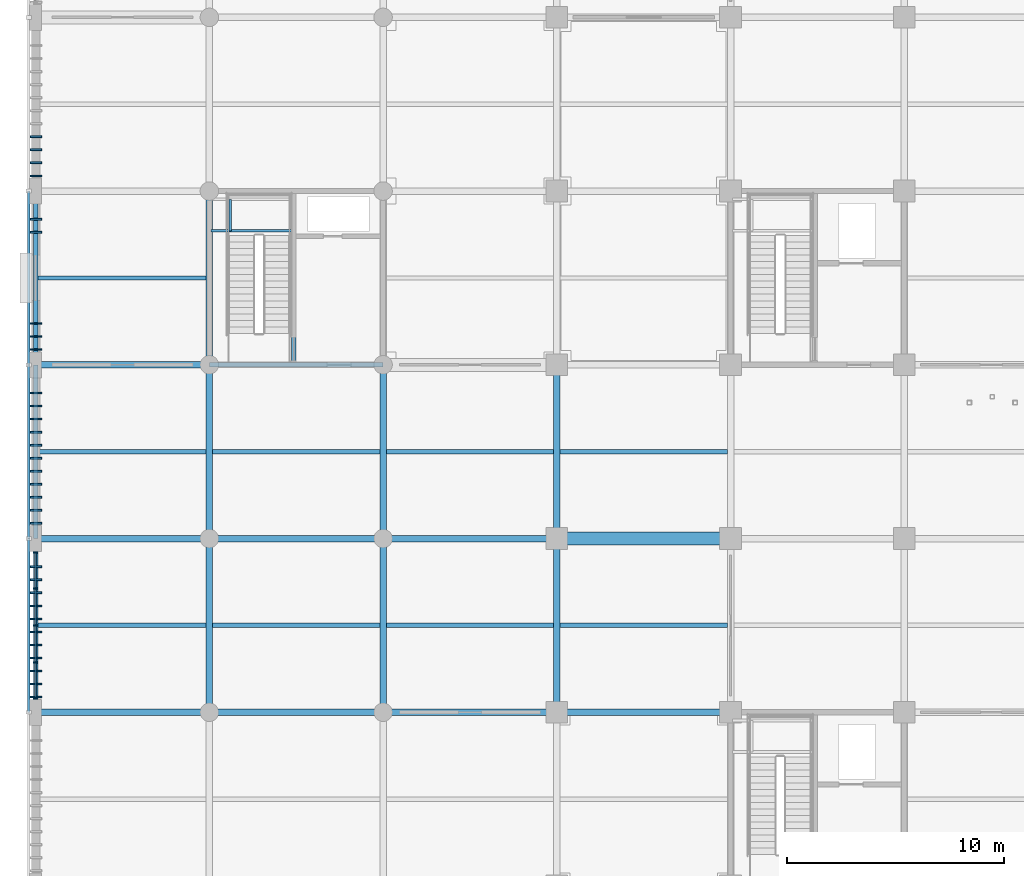
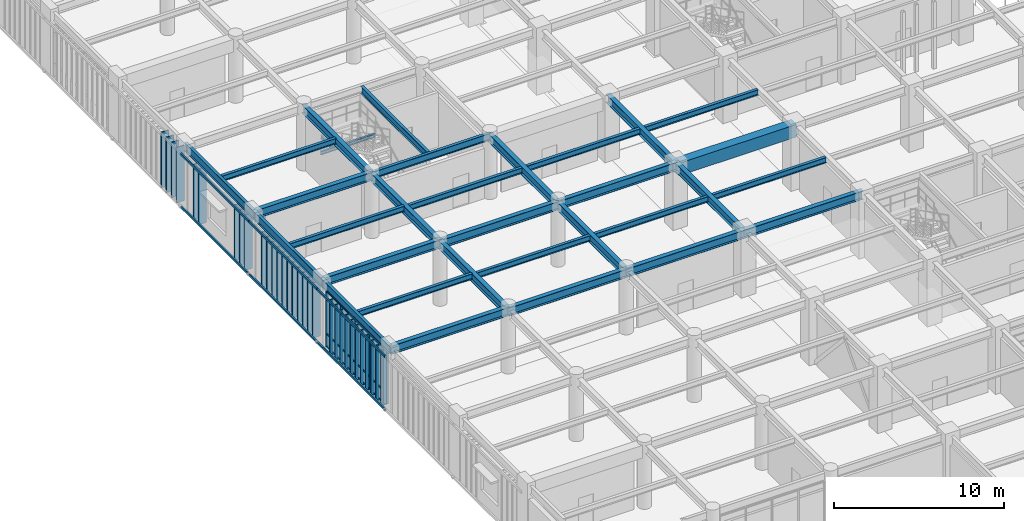
# One storey, part 19 of 117: 58 members, 32 beams, 1 element without a shape of its own.
"""IFC4 building model written with IfcOpenShell, lengths in metres."""

from ifc_helpers import new_model, si_unit, direction, frame, origin, origin_2d, place, context, subcontext, project, spatial, rectangle, hollow_rectangle, i_section, extrude, material, layer, layer_set, material_profile, profile_set, type_object, element, aggregate, save


model = new_model("IFC4")

# Units and contexts
model_context = context("Model", 3, precision=1e-05, world=origin(), true_north=direction((0.0, 1.0)))
body_context = subcontext(model_context, "Body", "Model", "MODEL_VIEW")
ifc_project = project(units=[si_unit("LENGTHUNIT", "METRE"), si_unit("AREAUNIT", "SQUARE_METRE"), si_unit("VOLUMEUNIT", "CUBIC_METRE"), si_unit("PLANEANGLEUNIT", "RADIAN"), si_unit("MASSUNIT", "GRAM", prefix="KILO")], contexts=[model_context])

# Site, building, storey
site_placement = place(None, origin())
site = spatial("IfcSite", under=ifc_project, at=site_placement, CompositionType="ELEMENT")
building_placement = place(site_placement, origin())
building = spatial("IfcBuilding", under=site, at=building_placement, Name="Haebicheon Civic Stadium", CompositionType="ELEMENT")
storey_placement = place(building_placement, frame((0.0, 0.0, 4.800048828125)))
storey = spatial("IfcBuildingStorey", under=building, at=storey_placement, Name="L02", CompositionType="ELEMENT", Elevation=4.800048828125)

# Beams
ifc_material_1 = material(Name="Concrete C40/50", Category="concrete")
ifc_material_profile_1 = material_profile(ifc_material_1, rectangle(XDim=0.60009765625, YDim=0.89990234375, at=origin_2d()), Name="RC-BM-600x900")
ifc_profile_set_1 = profile_set([ifc_material_profile_1], Name="Concrete C40/50")
beam_type_1 = type_object("IfcBeamType", Name="BM-RC-600x900", PredefinedType="BEAM", material=ifc_profile_set_1)
beam_1_placement = place(storey_placement, frame((24.0, 72.0, 4.070068359375), z_axis=(1.0, 0.0, 0.0), x_axis=(0.0, 1.0, 0.0)))
element("IfcBeam", 1, at=beam_1_placement, inside=storey, type_object=beam_type_1, material=ifc_profile_set_1, Name="L02 beam K/4-5", PredefinedType="BEAM", context=body_context, shape_type="SweptSolid", body=[
    extrude(rectangle(XDim=0.60009765625, YDim=0.89990234375, at=origin_2d()), origin(), (0.0, 0.0, 1.0), 8.0),
])
ifc_material_2 = material(Name="Steel SM355 (S355)", Category="steel")
ifc_material_profile_2 = material_profile(ifc_material_2, i_section(OverallWidth=0.199951171875, OverallDepth=0.5, WebThickness=0.010009765625, FlangeThickness=0.01611328125, at=origin_2d()), Name="H-500x200x10x16")
ifc_profile_set_2 = profile_set([ifc_material_profile_2], Name="Steel SM355 (S355)")
beam_type_2 = type_object("IfcBeamType", Name="BM-ST-H500", PredefinedType="BEAM", material=ifc_profile_set_2)
beam_2_placement = place(storey_placement, frame((8.0, 80.0, 4.27001953125), z_axis=(1.0, 0.0, 0.0), x_axis=(0.0, 1.0, 0.0)))
element("IfcBeam", 2, at=beam_2_placement, inside=storey, type_object=beam_type_2, material=ifc_profile_set_2, Name="L02 beam L/2-3", PredefinedType="BEAM", context=body_context, shape_type="SweptSolid", body=[
    extrude(i_section(OverallWidth=0.199951171875, OverallDepth=0.5, WebThickness=0.010009765625, FlangeThickness=0.01611328125, at=origin_2d()), origin(), (0.0, 0.0, 1.0), 8.0),
])
beam_3_placement = place(storey_placement, frame((11.8798828125, 80.10009765625, 4.27001953125), z_axis=(0.0, 1.0, 0.0), x_axis=(-1.0, 0.0, 0.0)))
element("IfcBeam", 3, at=beam_3_placement, inside=storey, type_object=beam_type_2, material=ifc_profile_set_2, Name="L02 KC-15 core dividing wall support beam", PredefinedType="BEAM", context=body_context, shape_type="SweptSolid", body=[
    extrude(i_section(OverallWidth=0.199951171875, OverallDepth=0.5, WebThickness=0.010009765625, FlangeThickness=0.01611328125, at=origin_2d()), origin(), (0.0, 0.0, 1.0), 7.7998046875),
])
ifc_material_3 = material(Name="Steel SM355 (S355)", Category="steel")
ifc_material_profile_3 = material_profile(ifc_material_3, i_section(OverallWidth=0.300048828125, OverallDepth=0.60009765625, WebThickness=0.011962890625, FlangeThickness=0.02001953125, at=origin_2d()), Name="H-600x300x12x20")
ifc_profile_set_3 = profile_set([ifc_material_profile_3], Name="Steel SM355 (S355)")
beam_type_3 = type_object("IfcBeamType", Name="BM-ST-H600A", PredefinedType="BEAM", material=ifc_profile_set_3)
for number, where, z_axis, x_axis, name in (
    (4, (8.0, 64.0, 4.219970703125), (0.0, 1.0, 0.0), (-1.0, 0.0, 0.0), "L02 girder 2/J-K"),
    (5, (8.0, 72.0, 4.219970703125), (0.0, 1.0, 0.0), (-1.0, 0.0, 0.0), "L02 girder 2/K-L"),
    (6, (8.0, 80.0, 4.219970703125), (0.0, 1.0, 0.0), (-1.0, 0.0, 0.0), "L02 girder 2/L-M"),
    (7, (16.0, 64.0, 4.219970703125), (0.0, 1.0, 0.0), (-1.0, 0.0, 0.0), "L02 girder 3/J-K"),
    (8, (16.0, 72.0, 4.219970703125), (0.0, 1.0, 0.0), (-1.0, 0.0, 0.0), "L02 girder 3/K-L"),
    (9, (24.0, 64.0, 4.219970703125), (0.0, 1.0, 0.0), (-1.0, 0.0, 0.0), "L02 girder 4/J-K"),
    (10, (24.0, 72.0, 4.219970703125), (0.0, 1.0, 0.0), (-1.0, 0.0, 0.0), "L02 girder 4/K-L"),
    (11, (0.0, 64.0, 4.280029296875), (1.0, 0.0, 0.0), (0.0, 1.0, 0.0), "L02 beam J/1-2"),
    (12, (0.0, 72.0, 4.280029296875), (1.0, 0.0, 0.0), (0.0, 1.0, 0.0), "L02 beam K/1-2"),
    (13, (0.0, 80.0, 4.280029296875), (1.0, 0.0, 0.0), (0.0, 1.0, 0.0), "L02 beam L/1-2"),
    (14, (8.0, 64.0, 4.219970703125), (1.0, 0.0, 0.0), (0.0, 1.0, 0.0), "L02 beam J/2-3"),
    (15, (8.0, 72.0, 4.219970703125), (1.0, 0.0, 0.0), (0.0, 1.0, 0.0), "L02 beam K/2-3"),
    (16, (16.0, 64.0, 4.219970703125), (1.0, 0.0, 0.0), (0.0, 1.0, 0.0), "L02 beam J/3-4"),
    (17, (16.0, 72.0, 4.219970703125), (1.0, 0.0, 0.0), (0.0, 1.0, 0.0), "L02 beam K/3-4"),
    (18, (24.0, 64.0, 4.219970703125), (1.0, 0.0, 0.0), (0.0, 1.0, 0.0), "L02 beam J/4-5"),
):
    element("IfcBeam", number, at=place(storey_placement, frame(where, z_axis=z_axis, x_axis=x_axis)), inside=storey, type_object=beam_type_3, material=ifc_profile_set_3, Name=name, PredefinedType="BEAM", context=body_context, shape_type="SweptSolid", body=[
        extrude(i_section(OverallWidth=0.300048828125, OverallDepth=0.60009765625, WebThickness=0.011962890625, FlangeThickness=0.02001953125, at=origin_2d()), origin(), (0.0, 0.0, 1.0), 8.0),
    ])

# Curtain wall, members
ifc_material_4 = material(Name="Anodised aluminium and laminated glass", Category="aluminium")
ifc_layer = layer(ifc_material_4, 0.179931640625, Name="Anodised aluminium and laminated glass")
ifc_layer_set = layer_set([ifc_layer], Name="Anodised aluminium and laminated glass")
curtain_wall_type = type_object("IfcCurtainWallType", Name="CW-6800x3950", PredefinedType="NOTDEFINED", material=ifc_layer_set)
curtain_wall_placement = place(storey_placement, origin())
curtain_wall = element("IfcCurtainWall", 19, at=curtain_wall_placement, inside=storey, type_object=curtain_wall_type, material=ifc_layer_set, Name="L02 unitised curtain wall 030", PredefinedType="NOTDEFINED")
ifc_material_5 = material(Name="Anodised aluminium 6063-T6", Category="aluminium")
ifc_material_profile_4 = material_profile(ifc_material_5, rectangle(XDim=0.070068359375, YDim=0.199951171875, at=origin_2d()), Name="ALU-MULL-70x200")
ifc_profile_set_4 = profile_set([ifc_material_profile_4], Name="Anodised aluminium 6063-T6")
member_type_1 = type_object("IfcMemberType", Name="CWM-200x70", PredefinedType="MULLION", material=ifc_profile_set_4)
member_1_placement = place(storey_placement, frame((0.0, 64.635009765625, 0.0), z_axis=(0.0, 0.0, 1.0), x_axis=(0.0, 1.0, 0.0)))
member_1 = element("IfcMember", 20, at=member_1_placement, type_object=member_type_1, material=ifc_profile_set_4, Name="CW-L02-030 vertical mullion 1", PredefinedType="MULLION", context=body_context, shape_type="SweptSolid", body=[
    extrude(rectangle(XDim=0.070068359375, YDim=0.199951171875, at=origin_2d()), origin(), (0.0, 0.0, 1.0), 3.949951171875),
])
member_2_placement = place(storey_placement, frame((0.0, 66.300048828125, 0.0), z_axis=(0.0, 0.0, 1.0), x_axis=(0.0, 1.0, 0.0)))
member_2 = element("IfcMember", 21, at=member_2_placement, type_object=member_type_1, material=ifc_profile_set_4, Name="CW-L02-030 vertical mullion 2", PredefinedType="MULLION", context=body_context, shape_type="SweptSolid", body=[
    extrude(rectangle(XDim=0.070068359375, YDim=0.199951171875, at=origin_2d()), origin(), (0.0, 0.0, 1.0), 3.949951171875),
])
member_3_placement = place(storey_placement, frame((0.0, 68.0, 0.0), z_axis=(0.0, 0.0, 1.0), x_axis=(0.0, 1.0, 0.0)))
member_3 = element("IfcMember", 22, at=member_3_placement, type_object=member_type_1, material=ifc_profile_set_4, Name="CW-L02-030 vertical mullion 3", PredefinedType="MULLION", context=body_context, shape_type="SweptSolid", body=[
    extrude(rectangle(XDim=0.070068359375, YDim=0.199951171875, at=origin_2d()), origin(), (0.0, 0.0, 1.0), 3.949951171875),
])
member_4_placement = place(storey_placement, frame((0.0, 69.699951171875, 0.0), z_axis=(0.0, 0.0, 1.0), x_axis=(0.0, 1.0, 0.0)))
member_4 = element("IfcMember", 23, at=member_4_placement, type_object=member_type_1, material=ifc_profile_set_4, Name="CW-L02-030 vertical mullion 4", PredefinedType="MULLION", context=body_context, shape_type="SweptSolid", body=[
    extrude(rectangle(XDim=0.070068359375, YDim=0.199951171875, at=origin_2d()), origin(), (0.0, 0.0, 1.0), 3.949951171875),
])
member_5_placement = place(storey_placement, frame((0.0, 71.364990234375, 0.0), z_axis=(0.0, 0.0, 1.0), x_axis=(0.0, 1.0, 0.0)))
member_5 = element("IfcMember", 24, at=member_5_placement, type_object=member_type_1, material=ifc_profile_set_4, Name="CW-L02-030 vertical mullion 5", PredefinedType="MULLION", context=body_context, shape_type="SweptSolid", body=[
    extrude(rectangle(XDim=0.070068359375, YDim=0.199951171875, at=origin_2d()), origin(), (0.0, 0.0, 1.0), 3.949951171875),
])
ifc_material_6 = material(Name="Anodised aluminium 6063-T6", Category="aluminium")
ifc_material_profile_5 = material_profile(ifc_material_6, rectangle(XDim=0.070068359375, YDim=0.14990234375, at=origin_2d()), Name="ALU-TRAN-70x150")
ifc_profile_set_5 = profile_set([ifc_material_profile_5], Name="Anodised aluminium 6063-T6")
member_type_2 = type_object("IfcMemberType", Name="CWT-150x70", PredefinedType="NOTDEFINED", material=ifc_profile_set_5)
member_6_placement = place(storey_placement, frame((0.0, 64.669921875, 0.0), z_axis=(0.0, 1.0, 0.0), x_axis=(-1.0, 0.0, 0.0)))
member_6 = element("IfcMember", 25, at=member_6_placement, type_object=member_type_2, material=ifc_profile_set_5, Name="CW-L02-030 horizontal transom 1.1", ObjectType="TRANSOM", PredefinedType="USERDEFINED", context=body_context, shape_type="SweptSolid", body=[
    extrude(rectangle(XDim=0.070068359375, YDim=0.14990234375, at=origin_2d()), origin(), (0.0, 0.0, 1.0), 1.594970703125),
])
member_7_placement = place(storey_placement, frame((0.0, 64.669921875, 0.89990234375), z_axis=(0.0, 1.0, 0.0), x_axis=(-1.0, 0.0, 0.0)))
member_7 = element("IfcMember", 26, at=member_7_placement, type_object=member_type_2, material=ifc_profile_set_5, Name="CW-L02-030 horizontal transom 1.2", ObjectType="TRANSOM", PredefinedType="USERDEFINED", context=body_context, shape_type="SweptSolid", body=[
    extrude(rectangle(XDim=0.070068359375, YDim=0.14990234375, at=origin_2d()), origin(), (0.0, 0.0, 1.0), 1.594970703125),
])
member_8_placement = place(storey_placement, frame((0.0, 64.669921875, 3.39990234375), z_axis=(0.0, 1.0, 0.0), x_axis=(-1.0, 0.0, 0.0)))
member_8 = element("IfcMember", 27, at=member_8_placement, type_object=member_type_2, material=ifc_profile_set_5, Name="CW-L02-030 horizontal transom 1.3", ObjectType="TRANSOM", PredefinedType="USERDEFINED", context=body_context, shape_type="SweptSolid", body=[
    extrude(rectangle(XDim=0.070068359375, YDim=0.14990234375, at=origin_2d()), origin(), (0.0, 0.0, 1.0), 1.594970703125),
])
member_9_placement = place(storey_placement, frame((0.0, 64.669921875, 3.949951171875), z_axis=(0.0, 1.0, 0.0), x_axis=(-1.0, 0.0, 0.0)))
member_9 = element("IfcMember", 28, at=member_9_placement, type_object=member_type_2, material=ifc_profile_set_5, Name="CW-L02-030 horizontal transom 1.4", ObjectType="TRANSOM", PredefinedType="USERDEFINED", context=body_context, shape_type="SweptSolid", body=[
    extrude(rectangle(XDim=0.070068359375, YDim=0.14990234375, at=origin_2d()), origin(), (0.0, 0.0, 1.0), 1.594970703125),
])
member_10_placement = place(storey_placement, frame((0.0, 66.3349609375, 0.0), z_axis=(0.0, 1.0, 0.0), x_axis=(-1.0, 0.0, 0.0)))
member_10 = element("IfcMember", 29, at=member_10_placement, type_object=member_type_2, material=ifc_profile_set_5, Name="CW-L02-030 horizontal transom 2.1", ObjectType="TRANSOM", PredefinedType="USERDEFINED", context=body_context, shape_type="SweptSolid", body=[
    extrude(rectangle(XDim=0.070068359375, YDim=0.14990234375, at=origin_2d()), origin(), (0.0, 0.0, 1.0), 1.630126953125),
])
member_11_placement = place(storey_placement, frame((0.0, 66.3349609375, 0.89990234375), z_axis=(0.0, 1.0, 0.0), x_axis=(-1.0, 0.0, 0.0)))
member_11 = element("IfcMember", 30, at=member_11_placement, type_object=member_type_2, material=ifc_profile_set_5, Name="CW-L02-030 horizontal transom 2.2", ObjectType="TRANSOM", PredefinedType="USERDEFINED", context=body_context, shape_type="SweptSolid", body=[
    extrude(rectangle(XDim=0.070068359375, YDim=0.14990234375, at=origin_2d()), origin(), (0.0, 0.0, 1.0), 1.630126953125),
])
member_12_placement = place(storey_placement, frame((0.0, 66.3349609375, 3.39990234375), z_axis=(0.0, 1.0, 0.0), x_axis=(-1.0, 0.0, 0.0)))
member_12 = element("IfcMember", 31, at=member_12_placement, type_object=member_type_2, material=ifc_profile_set_5, Name="CW-L02-030 horizontal transom 2.3", ObjectType="TRANSOM", PredefinedType="USERDEFINED", context=body_context, shape_type="SweptSolid", body=[
    extrude(rectangle(XDim=0.070068359375, YDim=0.14990234375, at=origin_2d()), origin(), (0.0, 0.0, 1.0), 1.630126953125),
])
member_13_placement = place(storey_placement, frame((0.0, 66.3349609375, 3.949951171875), z_axis=(0.0, 1.0, 0.0), x_axis=(-1.0, 0.0, 0.0)))
member_13 = element("IfcMember", 32, at=member_13_placement, type_object=member_type_2, material=ifc_profile_set_5, Name="CW-L02-030 horizontal transom 2.4", ObjectType="TRANSOM", PredefinedType="USERDEFINED", context=body_context, shape_type="SweptSolid", body=[
    extrude(rectangle(XDim=0.070068359375, YDim=0.14990234375, at=origin_2d()), origin(), (0.0, 0.0, 1.0), 1.630126953125),
])
member_14_placement = place(storey_placement, frame((0.0, 68.034912109375, 0.0), z_axis=(0.0, 1.0, 0.0), x_axis=(-1.0, 0.0, 0.0)))
member_14 = element("IfcMember", 33, at=member_14_placement, type_object=member_type_2, material=ifc_profile_set_5, Name="CW-L02-030 horizontal transom 3.1", ObjectType="TRANSOM", PredefinedType="USERDEFINED", context=body_context, shape_type="SweptSolid", body=[
    extrude(rectangle(XDim=0.070068359375, YDim=0.14990234375, at=origin_2d()), origin(), (0.0, 0.0, 1.0), 1.630126953125),
])
member_15_placement = place(storey_placement, frame((0.0, 68.034912109375, 0.89990234375), z_axis=(0.0, 1.0, 0.0), x_axis=(-1.0, 0.0, 0.0)))
member_15 = element("IfcMember", 34, at=member_15_placement, type_object=member_type_2, material=ifc_profile_set_5, Name="CW-L02-030 horizontal transom 3.2", ObjectType="TRANSOM", PredefinedType="USERDEFINED", context=body_context, shape_type="SweptSolid", body=[
    extrude(rectangle(XDim=0.070068359375, YDim=0.14990234375, at=origin_2d()), origin(), (0.0, 0.0, 1.0), 1.630126953125),
])
member_16_placement = place(storey_placement, frame((0.0, 68.034912109375, 3.39990234375), z_axis=(0.0, 1.0, 0.0), x_axis=(-1.0, 0.0, 0.0)))
member_16 = element("IfcMember", 35, at=member_16_placement, type_object=member_type_2, material=ifc_profile_set_5, Name="CW-L02-030 horizontal transom 3.3", ObjectType="TRANSOM", PredefinedType="USERDEFINED", context=body_context, shape_type="SweptSolid", body=[
    extrude(rectangle(XDim=0.070068359375, YDim=0.14990234375, at=origin_2d()), origin(), (0.0, 0.0, 1.0), 1.630126953125),
])
member_17_placement = place(storey_placement, frame((0.0, 68.034912109375, 3.949951171875), z_axis=(0.0, 1.0, 0.0), x_axis=(-1.0, 0.0, 0.0)))
member_17 = element("IfcMember", 36, at=member_17_placement, type_object=member_type_2, material=ifc_profile_set_5, Name="CW-L02-030 horizontal transom 3.4", ObjectType="TRANSOM", PredefinedType="USERDEFINED", context=body_context, shape_type="SweptSolid", body=[
    extrude(rectangle(XDim=0.070068359375, YDim=0.14990234375, at=origin_2d()), origin(), (0.0, 0.0, 1.0), 1.630126953125),
])
member_18_placement = place(storey_placement, frame((0.0, 69.735107421875, 0.0), z_axis=(0.0, 1.0, 0.0), x_axis=(-1.0, 0.0, 0.0)))
member_18 = element("IfcMember", 37, at=member_18_placement, type_object=member_type_2, material=ifc_profile_set_5, Name="CW-L02-030 horizontal transom 4.1", ObjectType="TRANSOM", PredefinedType="USERDEFINED", context=body_context, shape_type="SweptSolid", body=[
    extrude(rectangle(XDim=0.070068359375, YDim=0.14990234375, at=origin_2d()), origin(), (0.0, 0.0, 1.0), 1.594970703125),
])
member_19_placement = place(storey_placement, frame((0.0, 69.735107421875, 0.89990234375), z_axis=(0.0, 1.0, 0.0), x_axis=(-1.0, 0.0, 0.0)))
member_19 = element("IfcMember", 38, at=member_19_placement, type_object=member_type_2, material=ifc_profile_set_5, Name="CW-L02-030 horizontal transom 4.2", ObjectType="TRANSOM", PredefinedType="USERDEFINED", context=body_context, shape_type="SweptSolid", body=[
    extrude(rectangle(XDim=0.070068359375, YDim=0.14990234375, at=origin_2d()), origin(), (0.0, 0.0, 1.0), 1.594970703125),
])
member_20_placement = place(storey_placement, frame((0.0, 69.735107421875, 3.39990234375), z_axis=(0.0, 1.0, 0.0), x_axis=(-1.0, 0.0, 0.0)))
member_20 = element("IfcMember", 39, at=member_20_placement, type_object=member_type_2, material=ifc_profile_set_5, Name="CW-L02-030 horizontal transom 4.3", ObjectType="TRANSOM", PredefinedType="USERDEFINED", context=body_context, shape_type="SweptSolid", body=[
    extrude(rectangle(XDim=0.070068359375, YDim=0.14990234375, at=origin_2d()), origin(), (0.0, 0.0, 1.0), 1.594970703125),
])
member_21_placement = place(storey_placement, frame((0.0, 69.735107421875, 3.949951171875), z_axis=(0.0, 1.0, 0.0), x_axis=(-1.0, 0.0, 0.0)))
member_21 = element("IfcMember", 40, at=member_21_placement, type_object=member_type_2, material=ifc_profile_set_5, Name="CW-L02-030 horizontal transom 4.4", ObjectType="TRANSOM", PredefinedType="USERDEFINED", context=body_context, shape_type="SweptSolid", body=[
    extrude(rectangle(XDim=0.070068359375, YDim=0.14990234375, at=origin_2d()), origin(), (0.0, 0.0, 1.0), 1.594970703125),
])
aggregate(curtain_wall, [member_1, member_2, member_3, member_4, member_5, member_6, member_7, member_8, member_9, member_10, member_11, member_12, member_13, member_14, member_15, member_16, member_17, member_18, member_19, member_20, member_21])

# Beams
ifc_material_7 = material(Name="Steel SM355 (S355)", Category="steel")
ifc_material_profile_6 = material_profile(ifc_material_7, i_section(OverallWidth=0.125, OverallDepth=0.25, WebThickness=0.006103515625, FlangeThickness=0.009033203125, at=origin_2d()), Name="H-250x125x6x9")
ifc_profile_set_6 = profile_set([ifc_material_profile_6], Name="Steel SM355 (S355)")
beam_type_4 = type_object("IfcBeamType", Name="JST-ST-H250", PredefinedType="JOIST", material=ifc_profile_set_6)
beam_4_placement = place(storey_placement, frame((8.080078125, 86.169921875, 2.072021484375), z_axis=(1.0, 0.0, 0.0), x_axis=(0.0, 1.0, 0.0)))
element("IfcBeam", 41, at=beam_4_placement, inside=storey, type_object=beam_type_4, material=ifc_profile_set_6, Name="KC-15 L02 stair half-landing front trimmer beam", PredefinedType="JOIST", context=body_context, shape_type="SweptSolid", body=[
    extrude(i_section(OverallWidth=0.125, OverallDepth=0.25, WebThickness=0.006103515625, FlangeThickness=0.009033203125, at=origin_2d()), origin(), (0.0, 0.0, 1.0), 3.719970703125),
])
beam_5_placement = place(storey_placement, frame((8.9599609375, 86.169921875, 2.072021484375), z_axis=(0.0, 1.0, 0.0), x_axis=(-1.0, 0.0, 0.0)))
element("IfcBeam", 42, at=beam_5_placement, inside=storey, type_object=beam_type_4, material=ifc_profile_set_6, Name="KC-15 L02 stair half-landing transverse tie beam", PredefinedType="JOIST", context=body_context, shape_type="SweptSolid", body=[
    extrude(i_section(OverallWidth=0.125, OverallDepth=0.25, WebThickness=0.006103515625, FlangeThickness=0.009033203125, at=origin_2d()), origin(), (0.0, 0.0, 1.0), 1.4501953125),
])
ifc_material_8 = material(Name="Steel SM355 (S355)", Category="steel")
ifc_material_profile_7 = material_profile(ifc_material_8, i_section(OverallWidth=0.199951171875, OverallDepth=0.39990234375, WebThickness=0.008056640625, FlangeThickness=0.012939453125, at=origin_2d()), Name="H-400x200x8x13")
ifc_profile_set_7 = profile_set([ifc_material_profile_7], Name="Steel SM355 (S355)")
beam_type_5 = type_object("IfcBeamType", Name="JST-ST-H400", PredefinedType="JOIST", material=ifc_profile_set_7)
for number, where, z_axis, x_axis, name in (
    (43, (0.10009765625, 68.0, 4.3798828125), (1.0, 0.0, 0.0), (0.0, 1.0, 0.0), "L02 secondary joist 00-08"),
    (44, (0.10009765625, 76.0, 4.3798828125), (1.0, 0.0, 0.0), (0.0, 1.0, 0.0), "L02 secondary joist 00-09"),
    (45, (0.10009765625, 84.0, 4.3798828125), (1.0, 0.0, 0.0), (0.0, 1.0, 0.0), "L02 secondary joist 00-10"),
):
    element("IfcBeam", number, at=place(storey_placement, frame(where, z_axis=z_axis, x_axis=x_axis)), inside=storey, type_object=beam_type_5, material=ifc_profile_set_7, Name=name, PredefinedType="JOIST", context=body_context, shape_type="SweptSolid", body=[
        extrude(i_section(OverallWidth=0.199951171875, OverallDepth=0.39990234375, WebThickness=0.008056640625, FlangeThickness=0.012939453125, at=origin_2d()), origin(), (0.0, 0.0, 1.0), 7.75),
    ])
for number, where, z_axis, x_axis, name in (
    (46, (8.14990234375, 68.0, 4.320068359375), (1.0, 0.0, 0.0), (0.0, 1.0, 0.0), "L02 secondary joist 01-08"),
    (47, (8.14990234375, 76.0, 4.320068359375), (1.0, 0.0, 0.0), (0.0, 1.0, 0.0), "L02 secondary joist 01-09"),
    (48, (16.14990234375, 68.0, 4.320068359375), (1.0, 0.0, 0.0), (0.0, 1.0, 0.0), "L02 secondary joist 02-08"),
    (49, (16.14990234375, 76.0, 4.320068359375), (1.0, 0.0, 0.0), (0.0, 1.0, 0.0), "L02 secondary joist 02-09"),
    (50, (24.14990234375, 68.0, 4.320068359375), (1.0, 0.0, 0.0), (0.0, 1.0, 0.0), "L02 secondary joist 03-08"),
    (51, (24.14990234375, 76.0, 4.320068359375), (1.0, 0.0, 0.0), (0.0, 1.0, 0.0), "L02 secondary joist 03-09"),
):
    element("IfcBeam", number, at=place(storey_placement, frame(where, z_axis=z_axis, x_axis=x_axis)), inside=storey, type_object=beam_type_5, material=ifc_profile_set_7, Name=name, PredefinedType="JOIST", context=body_context, shape_type="SweptSolid", body=[
        extrude(i_section(OverallWidth=0.199951171875, OverallDepth=0.39990234375, WebThickness=0.008056640625, FlangeThickness=0.012939453125, at=origin_2d()), origin(), (0.0, 0.0, 1.0), 7.7001953125),
    ])

# Members
ifc_material_9 = material(Name="Acetylated timber GL28h", Category="wood")
ifc_material_profile_8 = material_profile(ifc_material_9, rectangle(XDim=0.080078125, YDim=0.52001953125, at=origin_2d()), Name="TMB-LOUV-80x520")
ifc_profile_set_8 = profile_set([ifc_material_profile_8], Name="Acetylated timber GL28h")
member_type_3 = type_object("IfcMemberType", Name="LVR-TIM-520x80", PredefinedType="PLATE", material=ifc_profile_set_8)
for number, where, z_axis, x_axis, name in (
    (52, (0.02001953125, 64.699951171875, -0.1201171875), (0.0, 0.0, 1.0), (0.0, 1.0, 0.0), "SCR-BOUL L02 acetylated timber storm louvre fin 3.1"),
    (53, (0.02001953125, 65.300048828125, -0.1201171875), (0.0, 0.0, 1.0), (0.0, 1.0, 0.0), "SCR-BOUL L02 acetylated timber storm louvre fin 3.2"),
    (54, (0.02001953125, 65.89990234375, -0.1201171875), (0.0, 0.0, 1.0), (0.0, 1.0, 0.0), "SCR-BOUL L02 acetylated timber storm louvre fin 3.3"),
    (55, (0.02001953125, 66.5, -0.1201171875), (0.0, 0.0, 1.0), (0.0, 1.0, 0.0), "SCR-BOUL L02 acetylated timber storm louvre fin 3.4"),
    (56, (0.02001953125, 67.10009765625, -0.1201171875), (0.0, 0.0, 1.0), (0.0, 1.0, 0.0), "SCR-BOUL L02 acetylated timber storm louvre fin 3.5"),
    (57, (0.02001953125, 67.699951171875, -0.1201171875), (0.0, 0.0, 1.0), (0.0, 1.0, 0.0), "SCR-BOUL L02 acetylated timber storm louvre fin 3.6"),
    (58, (0.02001953125, 68.300048828125, -0.1201171875), (0.0, 0.0, 1.0), (0.0, 1.0, 0.0), "SCR-BOUL L02 acetylated timber storm louvre fin 3.7"),
    (59, (0.02001953125, 68.89990234375, -0.1201171875), (0.0, 0.0, 1.0), (0.0, 1.0, 0.0), "SCR-BOUL L02 acetylated timber storm louvre fin 3.8"),
    (60, (0.02001953125, 69.5, -0.1201171875), (0.0, 0.0, 1.0), (0.0, 1.0, 0.0), "SCR-BOUL L02 acetylated timber storm louvre fin 3.9"),
    (61, (0.02001953125, 70.10009765625, -0.1201171875), (0.0, 0.0, 1.0), (0.0, 1.0, 0.0), "SCR-BOUL L02 acetylated timber storm louvre fin 3.10"),
    (62, (0.02001953125, 70.699951171875, -0.1201171875), (0.0, 0.0, 1.0), (0.0, 1.0, 0.0), "SCR-BOUL L02 acetylated timber storm louvre fin 3.11"),
    (63, (0.02001953125, 72.699951171875, -0.1201171875), (0.0, 0.0, 1.0), (0.0, 1.0, 0.0), "SCR-BOUL L02 acetylated timber storm louvre fin 4.1"),
    (64, (0.02001953125, 73.300048828125, -0.1201171875), (0.0, 0.0, 1.0), (0.0, 1.0, 0.0), "SCR-BOUL L02 acetylated timber storm louvre fin 4.2"),
    (65, (0.02001953125, 73.89990234375, -0.1201171875), (0.0, 0.0, 1.0), (0.0, 1.0, 0.0), "SCR-BOUL L02 acetylated timber storm louvre fin 4.3"),
    (66, (0.02001953125, 74.5, -0.1201171875), (0.0, 0.0, 1.0), (0.0, 1.0, 0.0), "SCR-BOUL L02 acetylated timber storm louvre fin 4.4"),
    (67, (0.02001953125, 75.10009765625, -0.1201171875), (0.0, 0.0, 1.0), (0.0, 1.0, 0.0), "SCR-BOUL L02 acetylated timber storm louvre fin 4.5"),
    (68, (0.02001953125, 75.699951171875, -0.1201171875), (0.0, 0.0, 1.0), (0.0, 1.0, 0.0), "SCR-BOUL L02 acetylated timber storm louvre fin 4.6"),
    (69, (0.02001953125, 76.300048828125, -0.1201171875), (0.0, 0.0, 1.0), (0.0, 1.0, 0.0), "SCR-BOUL L02 acetylated timber storm louvre fin 4.7"),
    (70, (0.02001953125, 76.89990234375, -0.1201171875), (0.0, 0.0, 1.0), (0.0, 1.0, 0.0), "SCR-BOUL L02 acetylated timber storm louvre fin 4.8"),
    (71, (0.02001953125, 77.5, -0.1201171875), (0.0, 0.0, 1.0), (0.0, 1.0, 0.0), "SCR-BOUL L02 acetylated timber storm louvre fin 4.9"),
    (72, (0.02001953125, 78.10009765625, -0.1201171875), (0.0, 0.0, 1.0), (0.0, 1.0, 0.0), "SCR-BOUL L02 acetylated timber storm louvre fin 4.10"),
    (73, (0.02001953125, 78.699951171875, -0.1201171875), (0.0, 0.0, 1.0), (0.0, 1.0, 0.0), "SCR-BOUL L02 acetylated timber storm louvre fin 4.11"),
    (74, (0.02001953125, 80.699951171875, -0.1201171875), (0.0, 0.0, 1.0), (0.0, 1.0, 0.0), "SCR-BOUL L02 acetylated timber storm louvre fin 5.1"),
    (75, (0.02001953125, 81.300048828125, -0.1201171875), (0.0, 0.0, 1.0), (0.0, 1.0, 0.0), "SCR-BOUL L02 acetylated timber storm louvre fin 5.2"),
    (76, (0.02001953125, 81.89990234375, -0.1201171875), (0.0, 0.0, 1.0), (0.0, 1.0, 0.0), "SCR-BOUL L02 acetylated timber storm louvre fin 5.3"),
    (77, (0.02001953125, 86.10009765625, -0.1201171875), (0.0, 0.0, 1.0), (0.0, 1.0, 0.0), "SCR-BOUL L02 acetylated timber storm louvre fin 5.10"),
    (78, (0.02001953125, 86.699951171875, -0.1201171875), (0.0, 0.0, 1.0), (0.0, 1.0, 0.0), "SCR-BOUL L02 acetylated timber storm louvre fin 5.11"),
    (79, (0.02001953125, 88.699951171875, -0.1201171875), (0.0, 0.0, 1.0), (0.0, 1.0, 0.0), "SCR-BOUL L02 acetylated timber storm louvre fin 6.1"),
    (80, (0.02001953125, 89.300048828125, -0.1201171875), (0.0, 0.0, 1.0), (0.0, 1.0, 0.0), "SCR-BOUL L02 acetylated timber storm louvre fin 6.2"),
    (81, (0.02001953125, 89.89990234375, -0.1201171875), (0.0, 0.0, 1.0), (0.0, 1.0, 0.0), "SCR-BOUL L02 acetylated timber storm louvre fin 6.3"),
    (82, (0.02001953125, 90.5, -0.1201171875), (0.0, 0.0, 1.0), (0.0, 1.0, 0.0), "SCR-BOUL L02 acetylated timber storm louvre fin 6.4"),
):
    element("IfcMember", number, at=place(storey_placement, frame(where, z_axis=z_axis, x_axis=x_axis)), inside=storey, type_object=member_type_3, material=ifc_profile_set_8, Name=name, PredefinedType="PLATE", context=body_context, shape_type="SweptSolid", body=[
        extrude(rectangle(XDim=0.080078125, YDim=0.52001953125, at=origin_2d()), origin(), (0.0, 0.0, 1.0), 3.969970703125),
    ])

# Beams
ifc_material_10 = material(Name="Steel SM355 (S355)", Category="steel")
ifc_material_profile_9 = material_profile(ifc_material_10, i_section(OverallWidth=0.199951171875, OverallDepth=0.60009765625, WebThickness=0.010986328125, FlangeThickness=0.01708984375, at=origin_2d()), Name="H-600x200x11x17")
ifc_profile_set_9 = profile_set([ifc_material_profile_9], Name="Steel SM355 (S355)")
beam_type_6 = type_object("IfcBeamType", Name="SPD-ST-H600B", PredefinedType="SPANDREL", material=ifc_profile_set_9)
for number, where, z_axis, x_axis, name in (
    (83, (0.0, 64.0, 4.280029296875), (0.0, 1.0, 0.0), (-1.0, 0.0, 0.0), "L02 girder 1/J-K"),
    (84, (0.0, 72.0, 4.280029296875), (0.0, 1.0, 0.0), (-1.0, 0.0, 0.0), "L02 girder 1/K-L"),
    (85, (0.0, 80.0, 4.280029296875), (0.0, 1.0, 0.0), (-1.0, 0.0, 0.0), "L02 girder 1/L-M"),
):
    element("IfcBeam", number, at=place(storey_placement, frame(where, z_axis=z_axis, x_axis=x_axis)), inside=storey, type_object=beam_type_6, material=ifc_profile_set_9, Name=name, PredefinedType="SPANDREL", context=body_context, shape_type="SweptSolid", body=[
        extrude(i_section(OverallWidth=0.199951171875, OverallDepth=0.60009765625, WebThickness=0.010986328125, FlangeThickness=0.01708984375, at=origin_2d()), origin(), (0.0, 0.0, 1.0), 8.0),
    ])

# Members
ifc_material_11 = material(Name="Steel SM355 (S355)", Category="steel")
ifc_material_profile_10 = material_profile(ifc_material_11, hollow_rectangle(XDim=0.10009765625, YDim=0.14990234375, WallThickness=0.006103515625, at=origin_2d()), Name="RHS-150x100x6.0")
ifc_profile_set_10 = profile_set([ifc_material_profile_10], Name="Steel SM355 (S355)")
member_type_4 = type_object("IfcMemberType", Name="SUB-RHS150", PredefinedType="STRINGER", material=ifc_profile_set_10)
for number, where, z_axis, x_axis, name in (
    (86, (-0.31494140625, 64.0, 0.06005859375), (0.0, 1.0, 0.0), (-1.0, 0.0, 0.0), "SCR-BOUL L02 storm-louvre bottom carrier rail 3"),
    (87, (-0.31494140625, 64.0, 3.849853515625), (0.0, 1.0, 0.0), (-1.0, 0.0, 0.0), "SCR-BOUL L02 storm-louvre top carrier rail 3"),
    (88, (-0.31494140625, 72.0, 0.06005859375), (0.0, 1.0, 0.0), (-1.0, 0.0, 0.0), "SCR-BOUL L02 storm-louvre bottom carrier rail 4"),
    (89, (-0.31494140625, 72.0, 3.849853515625), (0.0, 1.0, 0.0), (-1.0, 0.0, 0.0), "SCR-BOUL L02 storm-louvre top carrier rail 4"),
    (90, (-0.31494140625, 80.0, 0.06005859375), (0.0, 1.0, 0.0), (-1.0, 0.0, 0.0), "SCR-BOUL L02 storm-louvre bottom carrier rail 5"),
    (91, (-0.31494140625, 80.0, 3.849853515625), (0.0, 1.0, 0.0), (-1.0, 0.0, 0.0), "SCR-BOUL L02 storm-louvre top carrier rail 5"),
):
    element("IfcMember", number, at=place(storey_placement, frame(where, z_axis=z_axis, x_axis=x_axis)), inside=storey, type_object=member_type_4, material=ifc_profile_set_10, Name=name, PredefinedType="STRINGER", context=body_context, shape_type="SweptSolid", body=[
        extrude(hollow_rectangle(XDim=0.10009765625, YDim=0.14990234375, WallThickness=0.006103515625, at=origin_2d()), origin(), (0.0, 0.0, 1.0), 8.0),
    ])

save(model, "model.ifc")
